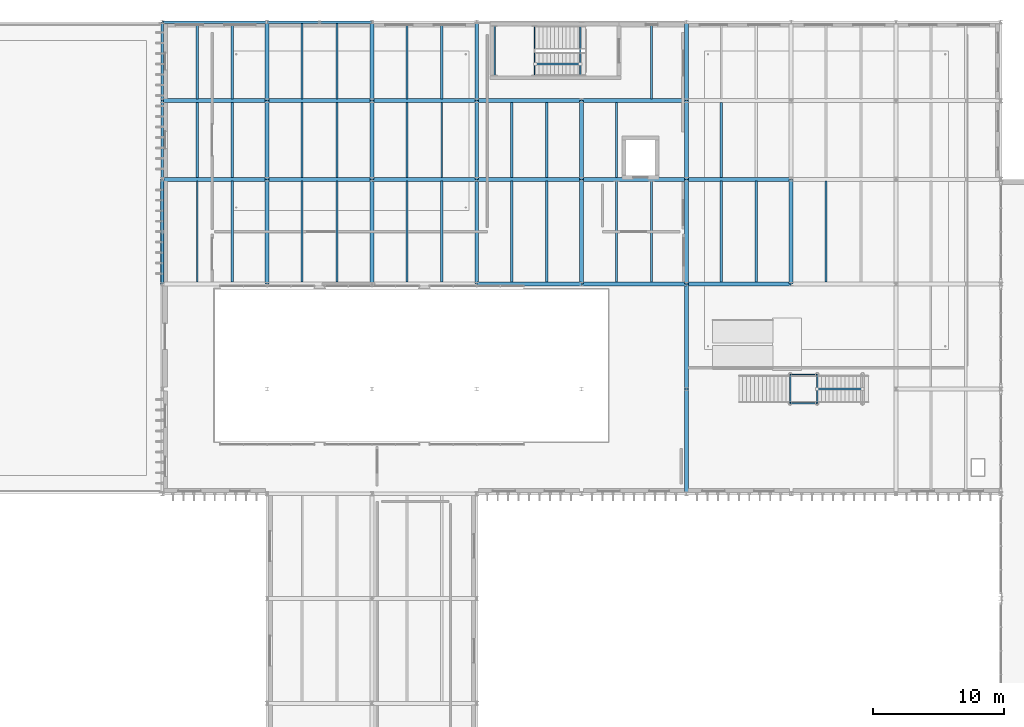
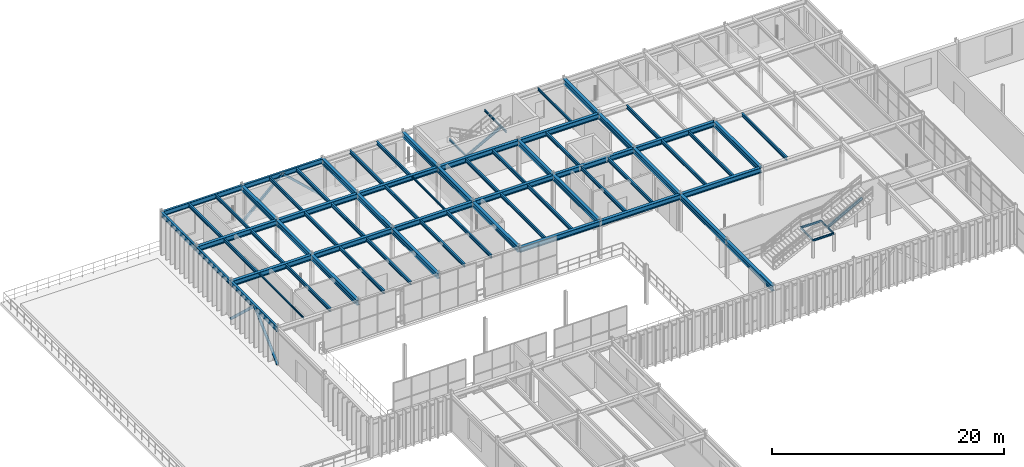
# One storey, part 49 of 122: 73 beams, 6 members.
"""IFC4 building model written with IfcOpenShell, lengths in metres."""

from ifc_helpers import new_model, si_unit, direction, frame, origin, origin_2d, place, context, subcontext, project, spatial, hollow_rectangle, hollow_circle, i_section, extrude, material, material_profile, profile_set, type_object, element, save


model = new_model("IFC4")

# Units and contexts
model_context = context("Model", 3, precision=1e-05, world=origin(), true_north=direction((0.0, 1.0)))
body_context = subcontext(model_context, "Body", "Model", "MODEL_VIEW")
ifc_project = project(units=[si_unit("LENGTHUNIT", "METRE"), si_unit("AREAUNIT", "SQUARE_METRE"), si_unit("VOLUMEUNIT", "CUBIC_METRE"), si_unit("PLANEANGLEUNIT", "RADIAN"), si_unit("MASSUNIT", "GRAM", prefix="KILO")], contexts=[model_context])

# Site, building, storey
site_placement = place(None, origin())
site = spatial("IfcSite", under=ifc_project, at=site_placement, CompositionType="ELEMENT")
building_placement = place(site_placement, origin())
building = spatial("IfcBuilding", under=site, at=building_placement, Name="Sundkrona Museum", CompositionType="ELEMENT")
storey_placement = place(building_placement, frame((0.0, 0.0, 5.39990234375)))
storey = spatial("IfcBuildingStorey", under=building, at=storey_placement, Name="L01", CompositionType="ELEMENT", Elevation=5.39990234375)

# Beams
ifc_material = material(Name="Steel S355J2", Category="steel")
ifc_material_profile_1 = material_profile(ifc_material, i_section(OverallWidth=0.300048828125, OverallDepth=0.5400390625, WebThickness=0.012451171875, FlangeThickness=0.02392578125, FilletRadius=0.027099609375, at=origin_2d()), Name="HEA 550")
ifc_profile_set_1 = profile_set([ifc_material_profile_1], Name="Steel S355J2")
beam_type_1 = type_object("IfcBeamType", Name="B-HEA550", PredefinedType="BEAM", material=ifc_profile_set_1)
for number, where, z_axis, x_axis, name in (
    (1, (40.0, 94.0, 3.690185546875), (1.0, 0.0, 0.0), (0.0, 1.0, 0.0), "L01 Girder X-0911"),
    (2, (48.0, 94.0, 3.690185546875), (1.0, 0.0, 0.0), (0.0, 1.0, 0.0), "L01 Girder X-0912"),
    (3, (56.0, 94.0, 3.690185546875), (1.0, 0.0, 0.0), (0.0, 1.0, 0.0), "L01 Girder X-0913"),
    (4, (16.0, 102.0, 3.690185546875), (1.0, 0.0, 0.0), (0.0, 1.0, 0.0), "L01 Girder X-0921"),
    (5, (24.0, 102.0, 3.690185546875), (1.0, 0.0, 0.0), (0.0, 1.0, 0.0), "L01 Girder X-0922"),
    (6, (32.0, 102.0, 3.690185546875), (1.0, 0.0, 0.0), (0.0, 1.0, 0.0), "L01 Girder X-0923"),
    (7, (40.0, 102.0, 3.690185546875), (1.0, 0.0, 0.0), (0.0, 1.0, 0.0), "L01 Girder X-0924"),
    (8, (48.0, 102.0, 3.690185546875), (1.0, 0.0, 0.0), (0.0, 1.0, 0.0), "L01 Girder X-0925"),
    (9, (56.0, 102.0, 3.690185546875), (1.0, 0.0, 0.0), (0.0, 1.0, 0.0), "L01 Girder X-0926"),
    (10, (16.0, 108.0, 3.690185546875), (1.0, 0.0, 0.0), (0.0, 1.0, 0.0), "L01 Girder X-0934"),
    (11, (24.0, 108.0, 3.690185546875), (1.0, 0.0, 0.0), (0.0, 1.0, 0.0), "L01 Girder X-0935"),
    (12, (40.0, 108.0, 3.690185546875), (1.0, 0.0, 0.0), (0.0, 1.0, 0.0), "L01 Girder X-0937"),
    (13, (48.0, 108.0, 3.690185546875), (1.0, 0.0, 0.0), (0.0, 1.0, 0.0), "L01 Girder X-0938"),
    (14, (24.0, 94.0, 3.690185546875), (0.0, 1.0, 0.0), (-1.0, 0.0, 0.0), "L01 Girder Y-0974"),
):
    element("IfcBeam", number, at=place(storey_placement, frame(where, z_axis=z_axis, x_axis=x_axis)), inside=storey, type_object=beam_type_1, Name=name, PredefinedType="BEAM", context=body_context, shape_type="SweptSolid", body=[
        extrude(i_section(OverallWidth=0.300048828125, OverallDepth=0.5400390625, WebThickness=0.012451171875, FlangeThickness=0.02392578125, FilletRadius=0.027099609375, at=origin_2d()), origin(), (0.0, 0.0, 1.0), 8.0),
    ])
for number, where, z_axis, x_axis, name in (
    (15, (24.0, 102.0, 3.690185546875), (0.0, 1.0, 0.0), (-1.0, 0.0, 0.0), "L01 Girder Y-0975"),
    (16, (24.0, 108.0, 3.690185546875), (0.0, 1.0, 0.0), (-1.0, 0.0, 0.0), "L01 Girder Y-0976"),
):
    element("IfcBeam", number, at=place(storey_placement, frame(where, z_axis=z_axis, x_axis=x_axis)), inside=storey, type_object=beam_type_1, Name=name, PredefinedType="BEAM", context=body_context, shape_type="SweptSolid", body=[
        extrude(i_section(OverallWidth=0.300048828125, OverallDepth=0.5400390625, WebThickness=0.012451171875, FlangeThickness=0.02392578125, FilletRadius=0.027099609375, at=origin_2d()), origin(), (0.0, 0.0, 1.0), 6.0),
    ])
beam_1_placement = place(storey_placement, frame((32.0, 94.0, 3.690185546875), z_axis=(0.0, 1.0, 0.0), x_axis=(-1.0, 0.0, 0.0)))
element("IfcBeam", 17, at=beam_1_placement, inside=storey, type_object=beam_type_1, Name="L01 Girder Y-0982", PredefinedType="BEAM", context=body_context, shape_type="SweptSolid", body=[
    extrude(i_section(OverallWidth=0.300048828125, OverallDepth=0.5400390625, WebThickness=0.012451171875, FlangeThickness=0.02392578125, FilletRadius=0.027099609375, at=origin_2d()), origin(), (0.0, 0.0, 1.0), 8.0),
])
for number, where, z_axis, x_axis, name in (
    (18, (32.0, 102.0, 3.690185546875), (0.0, 1.0, 0.0), (-1.0, 0.0, 0.0), "L01 Girder Y-0983"),
    (19, (32.0, 108.0, 3.690185546875), (0.0, 1.0, 0.0), (-1.0, 0.0, 0.0), "L01 Girder Y-0984"),
):
    element("IfcBeam", number, at=place(storey_placement, frame(where, z_axis=z_axis, x_axis=x_axis)), inside=storey, type_object=beam_type_1, Name=name, PredefinedType="BEAM", context=body_context, shape_type="SweptSolid", body=[
        extrude(i_section(OverallWidth=0.300048828125, OverallDepth=0.5400390625, WebThickness=0.012451171875, FlangeThickness=0.02392578125, FilletRadius=0.027099609375, at=origin_2d()), origin(), (0.0, 0.0, 1.0), 6.0),
    ])
beam_2_placement = place(storey_placement, frame((40.0, 94.0, 3.690185546875), z_axis=(0.0, 1.0, 0.0), x_axis=(-1.0, 0.0, 0.0)))
element("IfcBeam", 20, at=beam_2_placement, inside=storey, type_object=beam_type_1, Name="L01 Girder Y-0991", PredefinedType="BEAM", context=body_context, shape_type="SweptSolid", body=[
    extrude(i_section(OverallWidth=0.300048828125, OverallDepth=0.5400390625, WebThickness=0.012451171875, FlangeThickness=0.02392578125, FilletRadius=0.027099609375, at=origin_2d()), origin(), (0.0, 0.0, 1.0), 8.0),
])
for number, where, z_axis, x_axis, name in (
    (21, (40.0, 102.0, 3.690185546875), (0.0, 1.0, 0.0), (-1.0, 0.0, 0.0), "L01 Girder Y-0992"),
    (22, (40.0, 108.0, 3.690185546875), (0.0, 1.0, 0.0), (-1.0, 0.0, 0.0), "L01 Girder Y-0993"),
):
    element("IfcBeam", number, at=place(storey_placement, frame(where, z_axis=z_axis, x_axis=x_axis)), inside=storey, type_object=beam_type_1, Name=name, PredefinedType="BEAM", context=body_context, shape_type="SweptSolid", body=[
        extrude(i_section(OverallWidth=0.300048828125, OverallDepth=0.5400390625, WebThickness=0.012451171875, FlangeThickness=0.02392578125, FilletRadius=0.027099609375, at=origin_2d()), origin(), (0.0, 0.0, 1.0), 6.0),
    ])
beam_3_placement = place(storey_placement, frame((48.0, 94.0, 3.690185546875), z_axis=(0.0, 1.0, 0.0), x_axis=(-1.0, 0.0, 0.0)))
element("IfcBeam", 23, at=beam_3_placement, inside=storey, type_object=beam_type_1, Name="L01 Girder Y-0994", PredefinedType="BEAM", context=body_context, shape_type="SweptSolid", body=[
    extrude(i_section(OverallWidth=0.300048828125, OverallDepth=0.5400390625, WebThickness=0.012451171875, FlangeThickness=0.02392578125, FilletRadius=0.027099609375, at=origin_2d()), origin(), (0.0, 0.0, 1.0), 8.0),
])
beam_4_placement = place(storey_placement, frame((48.0, 102.0, 3.690185546875), z_axis=(0.0, 1.0, 0.0), x_axis=(-1.0, 0.0, 0.0)))
element("IfcBeam", 24, at=beam_4_placement, inside=storey, type_object=beam_type_1, Name="L01 Girder Y-0995", PredefinedType="BEAM", context=body_context, shape_type="SweptSolid", body=[
    extrude(i_section(OverallWidth=0.300048828125, OverallDepth=0.5400390625, WebThickness=0.012451171875, FlangeThickness=0.02392578125, FilletRadius=0.027099609375, at=origin_2d()), origin(), (0.0, 0.0, 1.0), 6.0),
])
for number, where, z_axis, x_axis, name in (
    (25, (56.0, 78.0, 3.690185546875), (0.0, 1.0, 0.0), (-1.0, 0.0, 0.0), "L01 Girder Y-0996"),
    (26, (56.0, 86.0, 3.690185546875), (0.0, 1.0, 0.0), (-1.0, 0.0, 0.0), "L01 Girder Y-0997"),
    (27, (56.0, 94.0, 3.690185546875), (0.0, 1.0, 0.0), (-1.0, 0.0, 0.0), "L01 Girder Y-0998"),
):
    element("IfcBeam", number, at=place(storey_placement, frame(where, z_axis=z_axis, x_axis=x_axis)), inside=storey, type_object=beam_type_1, Name=name, PredefinedType="BEAM", context=body_context, shape_type="SweptSolid", body=[
        extrude(i_section(OverallWidth=0.300048828125, OverallDepth=0.5400390625, WebThickness=0.012451171875, FlangeThickness=0.02392578125, FilletRadius=0.027099609375, at=origin_2d()), origin(), (0.0, 0.0, 1.0), 8.0),
    ])
for number, where, z_axis, x_axis, name in (
    (28, (56.0, 102.0, 3.690185546875), (0.0, 1.0, 0.0), (-1.0, 0.0, 0.0), "L01 Girder Y-0999"),
    (29, (56.0, 108.0, 3.690185546875), (0.0, 1.0, 0.0), (-1.0, 0.0, 0.0), "L01 Girder Y-1000"),
):
    element("IfcBeam", number, at=place(storey_placement, frame(where, z_axis=z_axis, x_axis=x_axis)), inside=storey, type_object=beam_type_1, Name=name, PredefinedType="BEAM", context=body_context, shape_type="SweptSolid", body=[
        extrude(i_section(OverallWidth=0.300048828125, OverallDepth=0.5400390625, WebThickness=0.012451171875, FlangeThickness=0.02392578125, FilletRadius=0.027099609375, at=origin_2d()), origin(), (0.0, 0.0, 1.0), 6.0),
    ])
beam_5_placement = place(storey_placement, frame((64.0, 94.0, 3.690185546875), z_axis=(0.0, 1.0, 0.0), x_axis=(-1.0, 0.0, 0.0)))
element("IfcBeam", 30, at=beam_5_placement, inside=storey, type_object=beam_type_1, Name="L01 Girder Y-1001", PredefinedType="BEAM", context=body_context, shape_type="SweptSolid", body=[
    extrude(i_section(OverallWidth=0.300048828125, OverallDepth=0.5400390625, WebThickness=0.012451171875, FlangeThickness=0.02392578125, FilletRadius=0.027099609375, at=origin_2d()), origin(), (0.0, 0.0, 1.0), 8.0),
])
ifc_material_profile_2 = material_profile(ifc_material, i_section(OverallWidth=0.300048828125, OverallDepth=0.5, WebThickness=0.014404296875, FlangeThickness=0.028076171875, FilletRadius=0.027099609375, at=origin_2d()), Name="HEB 500")
ifc_profile_set_2 = profile_set([ifc_material_profile_2], Name="Steel S355J2")
beam_type_2 = type_object("IfcBeamType", Name="B-HEB500", PredefinedType="BEAM", material=ifc_profile_set_2)
beam_6_placement = place(storey_placement, frame((32.0, 108.0, 3.710205078125), z_axis=(1.0, 0.0, 0.0), x_axis=(0.0, 1.0, 0.0)))
element("IfcBeam", 31, at=beam_6_placement, inside=storey, type_object=beam_type_2, Name="L01 Girder X-0936", PredefinedType="BEAM", context=body_context, shape_type="SweptSolid", body=[
    extrude(i_section(OverallWidth=0.300048828125, OverallDepth=0.5, WebThickness=0.014404296875, FlangeThickness=0.028076171875, FilletRadius=0.027099609375, at=origin_2d()), origin(), (0.0, 0.0, 1.0), 8.0),
])

# Members
ifc_material_profile_3 = material_profile(ifc_material, hollow_circle(Radius=0.136474609375, WallThickness=0.012451171875, at=origin_2d()), Name="CHS 273.0x12.5")
ifc_profile_set_3 = profile_set([ifc_material_profile_3], Name="Steel S355J2")
member_type_1 = type_object("IfcMemberType", Name="BR-CHS273", PredefinedType="BRACE", material=ifc_profile_set_3)
for number, where, z_axis, x_axis, name in (
    (32, (16.0, 94.0, 0.0), (0.0, 0.730448607788, 0.68296766496), (-1.0, 0.0, 0.0), "CBR-1 L01 Concentric Chevron Brace 022A"),
    (33, (16.0, 102.0, 0.0), (0.0, -0.730448607788, 0.68296766496), (1.0, 0.0, 0.0), "CBR-1 L01 Concentric Chevron Brace 022B"),
):
    element("IfcMember", number, at=place(storey_placement, frame(where, z_axis=z_axis, x_axis=x_axis)), inside=storey, type_object=member_type_1, Name=name, PredefinedType="BRACE", context=body_context, shape_type="SweptSolid", body=[
        extrude(hollow_circle(Radius=0.136474609375, WallThickness=0.012451171875, at=origin_2d()), origin(), (0.0, 0.0, 1.0), 5.47607421875),
    ])
ifc_material_profile_4 = material_profile(ifc_material, i_section(OverallWidth=0.135009765625, OverallDepth=0.27001953125, WebThickness=0.006591796875, FlangeThickness=0.01025390625, FilletRadius=0.014892578125, at=origin_2d()), Name="IPE 270")
ifc_profile_set_4 = profile_set([ifc_material_profile_4], Name="Steel S355J2")
member_type_2 = type_object("IfcMemberType", Name="BR-IPE270", PredefinedType="BRACE", material=ifc_profile_set_4)
member_1_placement = place(storey_placement, frame((44.465087890625, 110.800048828125, 1.780029296875), z_axis=(0.882182779908, 0.0, 0.470907148846), x_axis=(0.0, 1.0, 0.0)))
element("IfcMember", 34, at=member_1_placement, inside=storey, type_object=member_type_2, Name="SRK-1 L01 ST-3 Flight 2 Inclined Carriage Raker", PredefinedType="BRACE", context=body_context, shape_type="SweptSolid", body=[
    extrude(i_section(OverallWidth=0.135009765625, OverallDepth=0.27001953125, WebThickness=0.006591796875, FlangeThickness=0.01025390625, FilletRadius=0.014892578125, at=origin_2d()), origin(), (0.0, 0.0, 1.0), 3.8935546875),
])
member_2_placement = place(storey_placement, frame((65.97998046875, 86.0, 1.780029296875), z_axis=(0.879232589604, 0.0, 0.476392751181), x_axis=(0.0, 1.0, 0.0)))
element("IfcMember", 35, at=member_2_placement, inside=storey, type_object=member_type_2, Name="SRK-1 Feature Stair FS-6 Flight 2 Inclined Carriage Raker", PredefinedType="BRACE", context=body_context, shape_type="SweptSolid", body=[
    extrude(i_section(OverallWidth=0.135009765625, OverallDepth=0.27001953125, WebThickness=0.006591796875, FlangeThickness=0.01025390625, FilletRadius=0.014892578125, at=origin_2d()), origin(), (0.0, 0.0, 1.0), 3.946533203125),
])
ifc_material_profile_5 = material_profile(ifc_material, hollow_rectangle(XDim=0.199951171875, YDim=0.199951171875, WallThickness=0.010009765625, at=origin_2d()), Name="SHS 200x200x10.0")
ifc_profile_set_5 = profile_set([ifc_material_profile_5], Name="Steel S355J2")
member_type_3 = type_object("IfcMemberType", Name="BR-SHS200", PredefinedType="BRACE", material=ifc_profile_set_5)
for number, where, z_axis, x_axis, name in (
    (36, (24.0, 114.0, 0.0), (0.730448607788, 0.0, 0.68296766496), (0.0, 1.0, 0.0), "CBR-1 L01 Concentric Chevron Brace 015A"),
    (37, (32.0, 114.0, 0.0), (-0.730448607788, 0.0, 0.68296766496), (0.0, -1.0, 0.0), "CBR-1 L01 Concentric Chevron Brace 015B"),
):
    element("IfcMember", number, at=place(storey_placement, frame(where, z_axis=z_axis, x_axis=x_axis)), inside=storey, type_object=member_type_3, Name=name, PredefinedType="BRACE", context=body_context, shape_type="SweptSolid", body=[
        extrude(hollow_rectangle(XDim=0.199951171875, YDim=0.199951171875, WallThickness=0.010009765625, at=origin_2d()), origin(), (0.0, 0.0, 1.0), 5.47607421875),
    ])

# Beams
ifc_material_profile_6 = material_profile(ifc_material, i_section(OverallWidth=0.091064453125, OverallDepth=0.179931640625, WebThickness=0.00537109375, FlangeThickness=0.008056640625, FilletRadius=0.009033203125, at=origin_2d()), Name="IPE 180")
ifc_profile_set_6 = profile_set([ifc_material_profile_6], Name="Steel S355J2")
beam_type_3 = type_object("IfcBeamType", Name="J-IPE180", PredefinedType="JOIST", material=ifc_profile_set_6)
beam_7_placement = place(storey_placement, frame((18.666748046875, 94.14404296875, 3.8701171875), z_axis=(0.0, 1.0, 0.0), x_axis=(-1.0, 0.0, 0.0)))
element("IfcBeam", 38, at=beam_7_placement, inside=storey, type_object=beam_type_3, Name="L01 Composite Joist 0575", PredefinedType="JOIST", context=body_context, shape_type="SweptSolid", body=[
    extrude(i_section(OverallWidth=0.091064453125, OverallDepth=0.179931640625, WebThickness=0.00537109375, FlangeThickness=0.008056640625, FilletRadius=0.009033203125, at=origin_2d()), origin(), (0.0, 0.0, 1.0), 7.7119140625),
])
ifc_material_profile_7 = material_profile(ifc_material, i_section(OverallWidth=0.10009765625, OverallDepth=0.199951171875, WebThickness=0.005615234375, FlangeThickness=0.008544921875, FilletRadius=0.011962890625, at=origin_2d()), Name="IPE 200")
ifc_profile_set_7 = profile_set([ifc_material_profile_7], Name="Steel S355J2")
beam_type_4 = type_object("IfcBeamType", Name="J-IPE200", PredefinedType="JOIST", material=ifc_profile_set_7)
beam_8_placement = place(storey_placement, frame((37.333251953125, 102.14404296875, 3.860107421875), z_axis=(0.0, 1.0, 0.0), x_axis=(-1.0, 0.0, 0.0)))
element("IfcBeam", 39, at=beam_8_placement, inside=storey, type_object=beam_type_4, Name="L01 Composite Joist 0600", PredefinedType="JOIST", context=body_context, shape_type="SweptSolid", body=[
    extrude(i_section(OverallWidth=0.10009765625, OverallDepth=0.199951171875, WebThickness=0.005615234375, FlangeThickness=0.008544921875, FilletRadius=0.011962890625, at=origin_2d()), origin(), (0.0, 0.0, 1.0), 5.7119140625),
])
for number, where, z_axis, x_axis, name in (
    (40, (41.36328125, 109.909912109375, 1.780029296875), (0.0, 1.0, 0.0), (-1.0, 0.0, 0.0), "L01 ST-3 Mid-Landing Trimmer Beam 1A"),
    (41, (44.401611328125, 109.909912109375, 1.780029296875), (0.0, 1.0, 0.0), (-1.0, 0.0, 0.0), "L01 ST-3 Mid-Landing Trimmer Beam 1B"),
    (42, (47.89990234375, 109.909912109375, 3.613525390625), (0.0, 1.0, 0.0), (-1.0, 0.0, 0.0), "L01 ST-3 Flight 2 Arrival Header Beam"),
):
    element("IfcBeam", number, at=place(storey_placement, frame(where, z_axis=z_axis, x_axis=x_axis)), inside=storey, type_object=beam_type_4, Name=name, PredefinedType="JOIST", context=body_context, shape_type="SweptSolid", body=[
        extrude(i_section(OverallWidth=0.10009765625, OverallDepth=0.199951171875, WebThickness=0.005615234375, FlangeThickness=0.008544921875, FilletRadius=0.011962890625, at=origin_2d()), origin(), (0.0, 0.0, 1.0), 3.780029296875),
    ])
for number, where, z_axis, x_axis, name in (
    (43, (63.919921875, 84.89990234375, 1.780029296875), (0.0, 1.0, 0.0), (-1.0, 0.0, 0.0), "Feature Stair FS-6 S1 Trimmer Beam"),
    (44, (65.97998046875, 84.89990234375, 1.780029296875), (0.0, 1.0, 0.0), (-1.0, 0.0, 0.0), "Feature Stair FS-6 S2 Trimmer Beam"),
):
    element("IfcBeam", number, at=place(storey_placement, frame(where, z_axis=z_axis, x_axis=x_axis)), inside=storey, type_object=beam_type_4, Name=name, PredefinedType="JOIST", context=body_context, shape_type="SweptSolid", body=[
        extrude(i_section(OverallWidth=0.10009765625, OverallDepth=0.199951171875, WebThickness=0.005615234375, FlangeThickness=0.008544921875, FilletRadius=0.011962890625, at=origin_2d()), origin(), (0.0, 0.0, 1.0), 2.2001953125),
    ])
for number, where, z_axis, x_axis, name in (
    (45, (63.919921875, 84.89990234375, 1.780029296875), (1.0, 0.0, 0.0), (0.0, 1.0, 0.0), "Feature Stair FS-6 Landing Stringer L"),
    (46, (63.919921875, 87.10009765625, 1.780029296875), (1.0, 0.0, 0.0), (0.0, 1.0, 0.0), "Feature Stair FS-6 Landing Stringer R"),
):
    element("IfcBeam", number, at=place(storey_placement, frame(where, z_axis=z_axis, x_axis=x_axis)), inside=storey, type_object=beam_type_4, Name=name, PredefinedType="JOIST", context=body_context, shape_type="SweptSolid", body=[
        extrude(i_section(OverallWidth=0.10009765625, OverallDepth=0.199951171875, WebThickness=0.005615234375, FlangeThickness=0.008544921875, FilletRadius=0.011962890625, at=origin_2d()), origin(), (0.0, 0.0, 1.0), 2.06005859375),
    ])
ifc_material_profile_8 = material_profile(ifc_material, i_section(OverallWidth=0.135009765625, OverallDepth=0.27001953125, WebThickness=0.006591796875, FlangeThickness=0.01025390625, FilletRadius=0.014892578125, at=origin_2d()), Name="IPE 270")
ifc_profile_set_8 = profile_set([ifc_material_profile_8], Name="Steel S355J2")
beam_type_5 = type_object("IfcBeamType", Name="J-IPE270", PredefinedType="JOIST", material=ifc_profile_set_8)
beam_9_placement = place(storey_placement, frame((53.333251953125, 108.14404296875, 3.8251953125), z_axis=(0.0, 1.0, 0.0), x_axis=(-1.0, 0.0, 0.0)))
element("IfcBeam", 47, at=beam_9_placement, inside=storey, type_object=beam_type_5, Name="L01 Composite Joist 0610", PredefinedType="JOIST", context=body_context, shape_type="SweptSolid", body=[
    extrude(i_section(OverallWidth=0.135009765625, OverallDepth=0.27001953125, WebThickness=0.006591796875, FlangeThickness=0.01025390625, FilletRadius=0.014892578125, at=origin_2d()), origin(), (0.0, 0.0, 1.0), 5.761962890625),
])
ifc_material_profile_9 = material_profile(ifc_material, i_section(OverallWidth=0.159912109375, OverallDepth=0.330078125, WebThickness=0.007568359375, FlangeThickness=0.011474609375, FilletRadius=0.01806640625, at=origin_2d()), Name="IPE 330")
ifc_profile_set_9 = profile_set([ifc_material_profile_9], Name="Steel S355J2")
beam_type_6 = type_object("IfcBeamType", Name="J-IPE330", PredefinedType="JOIST", material=ifc_profile_set_9)
beam_10_placement = place(storey_placement, frame((21.333251953125, 108.14404296875, 3.795166015625), z_axis=(0.0, 1.0, 0.0), x_axis=(-1.0, 0.0, 0.0)))
element("IfcBeam", 48, at=beam_10_placement, inside=storey, type_object=beam_type_6, Name="L01 Composite Joist 0580", PredefinedType="JOIST", context=body_context, shape_type="SweptSolid", body=[
    extrude(i_section(OverallWidth=0.159912109375, OverallDepth=0.330078125, WebThickness=0.007568359375, FlangeThickness=0.011474609375, FilletRadius=0.01806640625, at=origin_2d()), origin(), (0.0, 0.0, 1.0), 5.761962890625),
])
ifc_material_profile_10 = material_profile(ifc_material, i_section(OverallWidth=0.169921875, OverallDepth=0.360107421875, WebThickness=0.008056640625, FlangeThickness=0.0126953125, FilletRadius=0.01806640625, at=origin_2d()), Name="IPE 360")
ifc_profile_set_10 = profile_set([ifc_material_profile_10], Name="Steel S355J2")
beam_type_7 = type_object("IfcBeamType", Name="J-IPE360", PredefinedType="JOIST", material=ifc_profile_set_10)
beam_11_placement = place(storey_placement, frame((21.333251953125, 94.14404296875, 3.780029296875), z_axis=(0.0, 1.0, 0.0), x_axis=(-1.0, 0.0, 0.0)))
element("IfcBeam", 49, at=beam_11_placement, inside=storey, type_object=beam_type_7, Name="L01 Composite Joist 0576", PredefinedType="JOIST", context=body_context, shape_type="SweptSolid", body=[
    extrude(i_section(OverallWidth=0.169921875, OverallDepth=0.360107421875, WebThickness=0.008056640625, FlangeThickness=0.0126953125, FilletRadius=0.01806640625, at=origin_2d()), origin(), (0.0, 0.0, 1.0), 7.7119140625),
])
for number, where, z_axis, x_axis, name in (
    (50, (18.666748046875, 102.14404296875, 3.780029296875), (0.0, 1.0, 0.0), (-1.0, 0.0, 0.0), "L01 Composite Joist 0577"),
    (51, (21.333251953125, 102.14404296875, 3.780029296875), (0.0, 1.0, 0.0), (-1.0, 0.0, 0.0), "L01 Composite Joist 0578"),
):
    element("IfcBeam", number, at=place(storey_placement, frame(where, z_axis=z_axis, x_axis=x_axis)), inside=storey, type_object=beam_type_7, Name=name, PredefinedType="JOIST", context=body_context, shape_type="SweptSolid", body=[
        extrude(i_section(OverallWidth=0.169921875, OverallDepth=0.360107421875, WebThickness=0.008056640625, FlangeThickness=0.0126953125, FilletRadius=0.01806640625, at=origin_2d()), origin(), (0.0, 0.0, 1.0), 5.7119140625),
    ])
beam_12_placement = place(storey_placement, frame((18.666748046875, 108.14404296875, 3.780029296875), z_axis=(0.0, 1.0, 0.0), x_axis=(-1.0, 0.0, 0.0)))
element("IfcBeam", 52, at=beam_12_placement, inside=storey, type_object=beam_type_7, Name="L01 Composite Joist 0579", PredefinedType="JOIST", context=body_context, shape_type="SweptSolid", body=[
    extrude(i_section(OverallWidth=0.169921875, OverallDepth=0.360107421875, WebThickness=0.008056640625, FlangeThickness=0.0126953125, FilletRadius=0.01806640625, at=origin_2d()), origin(), (0.0, 0.0, 1.0), 5.761962890625),
])
for number, where, z_axis, x_axis, name in (
    (53, (26.666748046875, 94.14404296875, 3.780029296875), (0.0, 1.0, 0.0), (-1.0, 0.0, 0.0), "L01 Composite Joist 0587"),
    (54, (29.333251953125, 94.14404296875, 3.780029296875), (0.0, 1.0, 0.0), (-1.0, 0.0, 0.0), "L01 Composite Joist 0588"),
):
    element("IfcBeam", number, at=place(storey_placement, frame(where, z_axis=z_axis, x_axis=x_axis)), inside=storey, type_object=beam_type_7, Name=name, PredefinedType="JOIST", context=body_context, shape_type="SweptSolid", body=[
        extrude(i_section(OverallWidth=0.169921875, OverallDepth=0.360107421875, WebThickness=0.008056640625, FlangeThickness=0.0126953125, FilletRadius=0.01806640625, at=origin_2d()), origin(), (0.0, 0.0, 1.0), 7.7119140625),
    ])
beam_13_placement = place(storey_placement, frame((26.666748046875, 102.14404296875, 3.780029296875), z_axis=(0.0, 1.0, 0.0), x_axis=(-1.0, 0.0, 0.0)))
element("IfcBeam", 55, at=beam_13_placement, inside=storey, type_object=beam_type_7, Name="L01 Composite Joist 0589", PredefinedType="JOIST", context=body_context, shape_type="SweptSolid", body=[
    extrude(i_section(OverallWidth=0.169921875, OverallDepth=0.360107421875, WebThickness=0.008056640625, FlangeThickness=0.0126953125, FilletRadius=0.01806640625, at=origin_2d()), origin(), (0.0, 0.0, 1.0), 5.7119140625),
])
for number, where, z_axis, x_axis, name in (
    (56, (26.666748046875, 108.14404296875, 3.780029296875), (0.0, 1.0, 0.0), (-1.0, 0.0, 0.0), "L01 Composite Joist 0591"),
    (57, (29.333251953125, 108.14404296875, 3.780029296875), (0.0, 1.0, 0.0), (-1.0, 0.0, 0.0), "L01 Composite Joist 0592"),
):
    element("IfcBeam", number, at=place(storey_placement, frame(where, z_axis=z_axis, x_axis=x_axis)), inside=storey, type_object=beam_type_7, Name=name, PredefinedType="JOIST", context=body_context, shape_type="SweptSolid", body=[
        extrude(i_section(OverallWidth=0.169921875, OverallDepth=0.360107421875, WebThickness=0.008056640625, FlangeThickness=0.0126953125, FilletRadius=0.01806640625, at=origin_2d()), origin(), (0.0, 0.0, 1.0), 5.761962890625),
    ])
for number, where, z_axis, x_axis, name in (
    (58, (34.666748046875, 94.14404296875, 3.780029296875), (0.0, 1.0, 0.0), (-1.0, 0.0, 0.0), "L01 Composite Joist 0597"),
    (59, (37.333251953125, 94.14404296875, 3.780029296875), (0.0, 1.0, 0.0), (-1.0, 0.0, 0.0), "L01 Composite Joist 0598"),
):
    element("IfcBeam", number, at=place(storey_placement, frame(where, z_axis=z_axis, x_axis=x_axis)), inside=storey, type_object=beam_type_7, Name=name, PredefinedType="JOIST", context=body_context, shape_type="SweptSolid", body=[
        extrude(i_section(OverallWidth=0.169921875, OverallDepth=0.360107421875, WebThickness=0.008056640625, FlangeThickness=0.0126953125, FilletRadius=0.01806640625, at=origin_2d()), origin(), (0.0, 0.0, 1.0), 7.7119140625),
    ])
beam_14_placement = place(storey_placement, frame((34.666748046875, 102.14404296875, 3.780029296875), z_axis=(0.0, 1.0, 0.0), x_axis=(-1.0, 0.0, 0.0)))
element("IfcBeam", 60, at=beam_14_placement, inside=storey, type_object=beam_type_7, Name="L01 Composite Joist 0599", PredefinedType="JOIST", context=body_context, shape_type="SweptSolid", body=[
    extrude(i_section(OverallWidth=0.169921875, OverallDepth=0.360107421875, WebThickness=0.008056640625, FlangeThickness=0.0126953125, FilletRadius=0.01806640625, at=origin_2d()), origin(), (0.0, 0.0, 1.0), 5.7119140625),
])
for number, where, z_axis, x_axis, name in (
    (61, (34.666748046875, 108.14404296875, 3.780029296875), (0.0, 1.0, 0.0), (-1.0, 0.0, 0.0), "L01 Composite Joist 0601"),
    (62, (37.333251953125, 108.14404296875, 3.780029296875), (0.0, 1.0, 0.0), (-1.0, 0.0, 0.0), "L01 Composite Joist 0602"),
):
    element("IfcBeam", number, at=place(storey_placement, frame(where, z_axis=z_axis, x_axis=x_axis)), inside=storey, type_object=beam_type_7, Name=name, PredefinedType="JOIST", context=body_context, shape_type="SweptSolid", body=[
        extrude(i_section(OverallWidth=0.169921875, OverallDepth=0.360107421875, WebThickness=0.008056640625, FlangeThickness=0.0126953125, FilletRadius=0.01806640625, at=origin_2d()), origin(), (0.0, 0.0, 1.0), 5.761962890625),
    ])
for number, where, z_axis, x_axis, name in (
    (63, (42.666748046875, 94.14404296875, 3.780029296875), (0.0, 1.0, 0.0), (-1.0, 0.0, 0.0), "L01 Composite Joist 0603"),
    (64, (45.333251953125, 94.14404296875, 3.780029296875), (0.0, 1.0, 0.0), (-1.0, 0.0, 0.0), "L01 Composite Joist 0604"),
):
    element("IfcBeam", number, at=place(storey_placement, frame(where, z_axis=z_axis, x_axis=x_axis)), inside=storey, type_object=beam_type_7, Name=name, PredefinedType="JOIST", context=body_context, shape_type="SweptSolid", body=[
        extrude(i_section(OverallWidth=0.169921875, OverallDepth=0.360107421875, WebThickness=0.008056640625, FlangeThickness=0.0126953125, FilletRadius=0.01806640625, at=origin_2d()), origin(), (0.0, 0.0, 1.0), 7.7119140625),
    ])
for number, where, z_axis, x_axis, name in (
    (65, (42.666748046875, 102.14404296875, 3.780029296875), (0.0, 1.0, 0.0), (-1.0, 0.0, 0.0), "L01 Composite Joist 0605"),
    (66, (45.333251953125, 102.14404296875, 3.780029296875), (0.0, 1.0, 0.0), (-1.0, 0.0, 0.0), "L01 Composite Joist 0606"),
):
    element("IfcBeam", number, at=place(storey_placement, frame(where, z_axis=z_axis, x_axis=x_axis)), inside=storey, type_object=beam_type_7, Name=name, PredefinedType="JOIST", context=body_context, shape_type="SweptSolid", body=[
        extrude(i_section(OverallWidth=0.169921875, OverallDepth=0.360107421875, WebThickness=0.008056640625, FlangeThickness=0.0126953125, FilletRadius=0.01806640625, at=origin_2d()), origin(), (0.0, 0.0, 1.0), 5.7119140625),
    ])
for number, where, z_axis, x_axis, name in (
    (67, (50.666748046875, 94.14404296875, 3.780029296875), (0.0, 1.0, 0.0), (-1.0, 0.0, 0.0), "L01 Composite Joist 0607"),
    (68, (53.333251953125, 94.14404296875, 3.780029296875), (0.0, 1.0, 0.0), (-1.0, 0.0, 0.0), "L01 Composite Joist 0608"),
):
    element("IfcBeam", number, at=place(storey_placement, frame(where, z_axis=z_axis, x_axis=x_axis)), inside=storey, type_object=beam_type_7, Name=name, PredefinedType="JOIST", context=body_context, shape_type="SweptSolid", body=[
        extrude(i_section(OverallWidth=0.169921875, OverallDepth=0.360107421875, WebThickness=0.008056640625, FlangeThickness=0.0126953125, FilletRadius=0.01806640625, at=origin_2d()), origin(), (0.0, 0.0, 1.0), 7.7119140625),
    ])
beam_15_placement = place(storey_placement, frame((50.666748046875, 102.14404296875, 3.780029296875), z_axis=(0.0, 1.0, 0.0), x_axis=(-1.0, 0.0, 0.0)))
element("IfcBeam", 69, at=beam_15_placement, inside=storey, type_object=beam_type_7, Name="L01 Composite Joist 0609", PredefinedType="JOIST", context=body_context, shape_type="SweptSolid", body=[
    extrude(i_section(OverallWidth=0.169921875, OverallDepth=0.360107421875, WebThickness=0.008056640625, FlangeThickness=0.0126953125, FilletRadius=0.01806640625, at=origin_2d()), origin(), (0.0, 0.0, 1.0), 5.7119140625),
])
for number, where, z_axis, x_axis, name in (
    (70, (58.666748046875, 94.14404296875, 3.780029296875), (0.0, 1.0, 0.0), (-1.0, 0.0, 0.0), "L01 Composite Joist 0611"),
    (71, (61.333251953125, 94.14404296875, 3.780029296875), (0.0, 1.0, 0.0), (-1.0, 0.0, 0.0), "L01 Composite Joist 0612"),
):
    element("IfcBeam", number, at=place(storey_placement, frame(where, z_axis=z_axis, x_axis=x_axis)), inside=storey, type_object=beam_type_7, Name=name, PredefinedType="JOIST", context=body_context, shape_type="SweptSolid", body=[
        extrude(i_section(OverallWidth=0.169921875, OverallDepth=0.360107421875, WebThickness=0.008056640625, FlangeThickness=0.0126953125, FilletRadius=0.01806640625, at=origin_2d()), origin(), (0.0, 0.0, 1.0), 7.7119140625),
    ])
beam_16_placement = place(storey_placement, frame((58.666748046875, 102.14404296875, 3.780029296875), z_axis=(0.0, 1.0, 0.0), x_axis=(-1.0, 0.0, 0.0)))
element("IfcBeam", 72, at=beam_16_placement, inside=storey, type_object=beam_type_7, Name="L01 Composite Joist 0613", PredefinedType="JOIST", context=body_context, shape_type="SweptSolid", body=[
    extrude(i_section(OverallWidth=0.169921875, OverallDepth=0.360107421875, WebThickness=0.008056640625, FlangeThickness=0.0126953125, FilletRadius=0.01806640625, at=origin_2d()), origin(), (0.0, 0.0, 1.0), 5.7119140625),
])
beam_17_placement = place(storey_placement, frame((66.666748046875, 94.14404296875, 3.780029296875), z_axis=(0.0, 1.0, 0.0), x_axis=(-1.0, 0.0, 0.0)))
element("IfcBeam", 73, at=beam_17_placement, inside=storey, type_object=beam_type_7, Name="L01 Composite Joist 0617", PredefinedType="JOIST", context=body_context, shape_type="SweptSolid", body=[
    extrude(i_section(OverallWidth=0.169921875, OverallDepth=0.360107421875, WebThickness=0.008056640625, FlangeThickness=0.0126953125, FilletRadius=0.01806640625, at=origin_2d()), origin(), (0.0, 0.0, 1.0), 7.7119140625),
])
ifc_material_profile_11 = material_profile(ifc_material, i_section(OverallWidth=0.179931640625, OverallDepth=0.39990234375, WebThickness=0.008544921875, FlangeThickness=0.013427734375, FilletRadius=0.02099609375, at=origin_2d()), Name="IPE 400")
ifc_profile_set_11 = profile_set([ifc_material_profile_11], Name="Steel S355J2")
beam_type_8 = type_object("IfcBeamType", Name="J-IPE400", PredefinedType="JOIST", material=ifc_profile_set_11)
beam_18_placement = place(storey_placement, frame((29.333251953125, 102.14404296875, 3.760009765625), z_axis=(0.0, 1.0, 0.0), x_axis=(-1.0, 0.0, 0.0)))
element("IfcBeam", 74, at=beam_18_placement, inside=storey, type_object=beam_type_8, Name="L01 Composite Joist 0590", PredefinedType="JOIST", context=body_context, shape_type="SweptSolid", body=[
    extrude(i_section(OverallWidth=0.179931640625, OverallDepth=0.39990234375, WebThickness=0.008544921875, FlangeThickness=0.013427734375, FilletRadius=0.02099609375, at=origin_2d()), origin(), (0.0, 0.0, 1.0), 5.7119140625),
])
ifc_material_profile_12 = material_profile(ifc_material, i_section(OverallWidth=0.199951171875, OverallDepth=0.5, WebThickness=0.01025390625, FlangeThickness=0.01611328125, FilletRadius=0.02099609375, at=origin_2d()), Name="IPE 500")
ifc_profile_set_12 = profile_set([ifc_material_profile_12], Name="Steel S355J2")
beam_type_9 = type_object("IfcBeamType", Name="SP-IPE500", PredefinedType="SPANDREL", material=ifc_profile_set_12)
for number, where, z_axis, x_axis, name in (
    (75, (16.0, 114.0, 3.710205078125), (1.0, 0.0, 0.0), (0.0, 1.0, 0.0), "L01 Girder X-0947"),
    (76, (24.0, 114.0, 3.710205078125), (1.0, 0.0, 0.0), (0.0, 1.0, 0.0), "L01 Girder X-0948"),
    (77, (16.0, 94.0, 3.710205078125), (0.0, 1.0, 0.0), (-1.0, 0.0, 0.0), "L01 Girder Y-0965"),
):
    element("IfcBeam", number, at=place(storey_placement, frame(where, z_axis=z_axis, x_axis=x_axis)), inside=storey, type_object=beam_type_9, Name=name, PredefinedType="SPANDREL", context=body_context, shape_type="SweptSolid", body=[
        extrude(i_section(OverallWidth=0.199951171875, OverallDepth=0.5, WebThickness=0.01025390625, FlangeThickness=0.01611328125, FilletRadius=0.02099609375, at=origin_2d()), origin(), (0.0, 0.0, 1.0), 8.0),
    ])
for number, where, z_axis, x_axis, name in (
    (78, (16.0, 102.0, 3.710205078125), (0.0, 1.0, 0.0), (-1.0, 0.0, 0.0), "L01 Girder Y-0966"),
    (79, (16.0, 108.0, 3.710205078125), (0.0, 1.0, 0.0), (-1.0, 0.0, 0.0), "L01 Girder Y-0967"),
):
    element("IfcBeam", number, at=place(storey_placement, frame(where, z_axis=z_axis, x_axis=x_axis)), inside=storey, type_object=beam_type_9, Name=name, PredefinedType="SPANDREL", context=body_context, shape_type="SweptSolid", body=[
        extrude(i_section(OverallWidth=0.199951171875, OverallDepth=0.5, WebThickness=0.01025390625, FlangeThickness=0.01611328125, FilletRadius=0.02099609375, at=origin_2d()), origin(), (0.0, 0.0, 1.0), 6.0),
    ])

save(model, "model.ifc")
